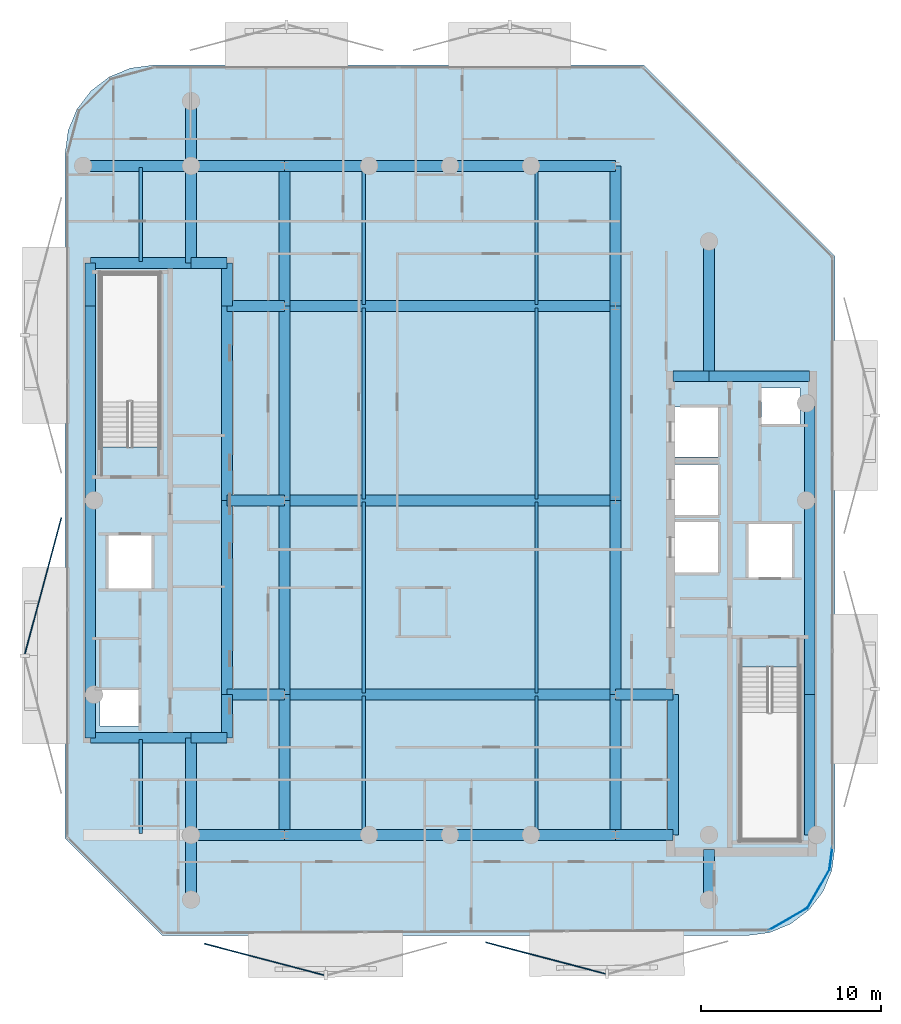
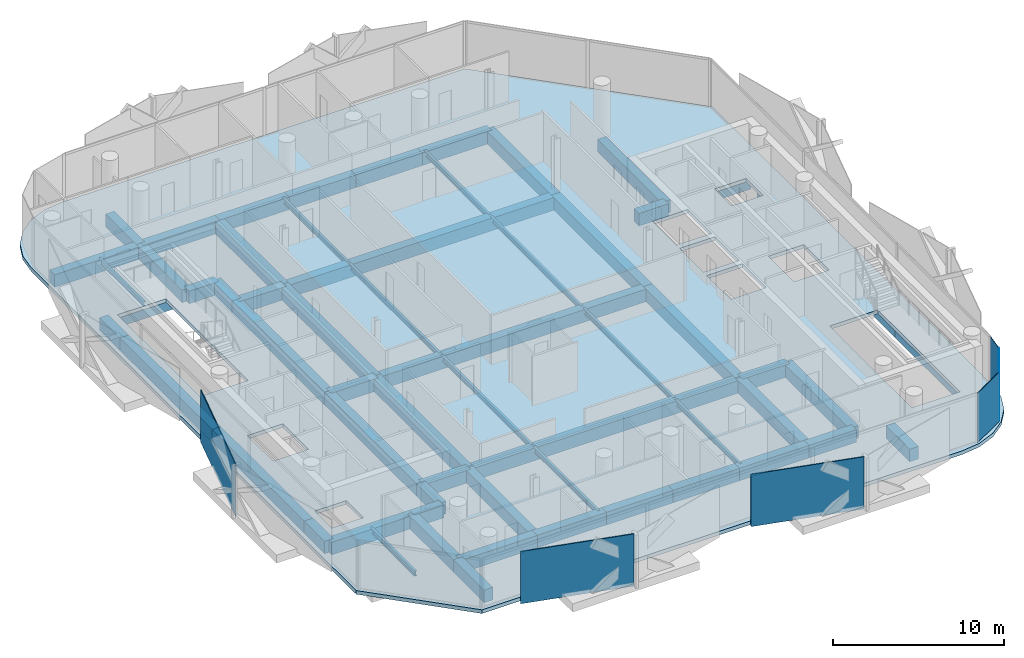
# One storey, part 3 of 16: 61 beams, 6 plates, 1 slab.
"""IFC4 building model written with IfcOpenShell, lengths in metres."""

from ifc_helpers import new_model, si_unit, direction, frame, origin, origin_2d, place, context, subcontext, project, spatial, polyline, rectangle, i_section, outline, extrude, material, layer, layer_set, material_profile, profile_set, type_object, element, save


model = new_model("IFC4")

# Units and contexts
model_context = context("Model", 3, precision=1e-05, world=origin(), true_north=direction((0.0, 1.0)))
body_context = subcontext(model_context, "Body", "Model", "MODEL_VIEW")
ifc_project = project(units=[si_unit("LENGTHUNIT", "METRE"), si_unit("AREAUNIT", "SQUARE_METRE"), si_unit("VOLUMEUNIT", "CUBIC_METRE"), si_unit("PLANEANGLEUNIT", "RADIAN"), si_unit("MASSUNIT", "GRAM", prefix="KILO")], contexts=[model_context])

# Site, building, storey
site_placement = place(None, origin())
site = spatial("IfcSite", under=ifc_project, at=site_placement, CompositionType="ELEMENT")
building_placement = place(site_placement, origin())
building = spatial("IfcBuilding", under=site, at=building_placement, Name="Khairoan Windgate Tower", CompositionType="ELEMENT")
storey_placement = place(building_placement, frame((0.0, 0.0, 281.39990234375)))
storey = spatial("IfcBuildingStorey", under=building, at=storey_placement, Name="L67", CompositionType="ELEMENT", Elevation=281.39990234375)

# Beams
ifc_material_1 = material(Name="Concrete C50/60", Category="concrete")
ifc_material_profile_1 = material_profile(ifc_material_1, rectangle(XDim=0.60009765625, YDim=0.89990234375, at=origin_2d()))
ifc_profile_set_1 = profile_set([ifc_material_profile_1], Name="Concrete C50/60")
beam_type_1 = type_object("IfcBeamType", Name="Beam B-RC1 RC600x900", PredefinedType="BEAM", material=ifc_profile_set_1)
beam_1_placement = place(storey_placement, frame((-14.39990234375, -18.60009765625, -0.7099609375), z_axis=(1.0, 0.0, 0.0), x_axis=(0.0, 1.0, 0.0)))
element("IfcBeam", 1, at=beam_1_placement, inside=storey, type_object=beam_type_1, Name="L67 E-W Primary Girder 02", PredefinedType="BEAM", context=body_context, shape_type="SweptSolid", body=[
    extrude(rectangle(XDim=0.60009765625, YDim=0.89990234375, at=origin_2d()), origin(), (0.0, 0.0, 1.0), 5.199951171875),
])
beam_2_placement = place(storey_placement, frame((-9.199951171875, -18.60009765625, -0.7099609375), z_axis=(1.0, 0.0, 0.0), x_axis=(0.0, 1.0, 0.0)))
element("IfcBeam", 2, at=beam_2_placement, inside=storey, type_object=beam_type_1, Name="L67 E-W Primary Girder 03", PredefinedType="BEAM", context=body_context, shape_type="SweptSolid", body=[
    extrude(rectangle(XDim=0.60009765625, YDim=0.89990234375, at=origin_2d()), origin(), (0.0, 0.0, 1.0), 4.699951171875),
])
for number, where, z_axis, x_axis, name in (
    (3, (-4.5, -18.60009765625, -0.7099609375), (1.0, 0.0, 0.0), (0.0, 1.0, 0.0), "L67 E-W Primary Girder 04"),
    (4, (0.0, -18.60009765625, -0.7099609375), (1.0, 0.0, 0.0), (0.0, 1.0, 0.0), "L67 E-W Primary Girder 05"),
):
    element("IfcBeam", number, at=place(storey_placement, frame(where, z_axis=z_axis, x_axis=x_axis)), inside=storey, type_object=beam_type_1, Name=name, PredefinedType="BEAM", context=body_context, shape_type="SweptSolid", body=[
        extrude(rectangle(XDim=0.60009765625, YDim=0.89990234375, at=origin_2d()), origin(), (0.0, 0.0, 1.0), 4.5),
    ])
beam_3_placement = place(storey_placement, frame((4.5, -18.60009765625, -0.7099609375), z_axis=(1.0, 0.0, 0.0), x_axis=(0.0, 1.0, 0.0)))
element("IfcBeam", 5, at=beam_3_placement, inside=storey, type_object=beam_type_1, Name="L67 E-W Primary Girder 06", PredefinedType="BEAM", context=body_context, shape_type="SweptSolid", body=[
    extrude(rectangle(XDim=0.60009765625, YDim=0.89990234375, at=origin_2d()), origin(), (0.0, 0.0, 1.0), 4.699951171875),
])
beam_4_placement = place(storey_placement, frame((9.199951171875, -18.60009765625, -0.7099609375), z_axis=(1.0, 0.0, 0.0), x_axis=(0.0, 1.0, 0.0)))
element("IfcBeam", 6, at=beam_4_placement, inside=storey, type_object=beam_type_1, Name="L67 E-W Primary Girder 07", PredefinedType="BEAM", context=body_context, shape_type="SweptSolid", body=[
    extrude(rectangle(XDim=0.60009765625, YDim=0.89990234375, at=origin_2d()), origin(), (0.0, 0.0, 1.0), 3.199951171875),
])
beam_5_placement = place(storey_placement, frame((-20.0, -13.199951171875, -0.7099609375), z_axis=(1.0, 0.0, 0.0), x_axis=(0.0, 1.0, 0.0)))
element("IfcBeam", 7, at=beam_5_placement, inside=storey, type_object=beam_type_1, Name="L67 E-W Primary Girder 08", PredefinedType="BEAM", context=body_context, shape_type="SweptSolid", body=[
    extrude(rectangle(XDim=0.60009765625, YDim=0.89990234375, at=origin_2d()), origin(), (0.0, 0.0, 1.0), 5.60009765625),
])
beam_6_placement = place(storey_placement, frame((-14.39990234375, -13.199951171875, -0.7099609375), z_axis=(1.0, 0.0, 0.0), x_axis=(0.0, 1.0, 0.0)))
element("IfcBeam", 8, at=beam_6_placement, inside=storey, type_object=beam_type_1, Name="L67 E-W Primary Girder 09", PredefinedType="BEAM", context=body_context, shape_type="SweptSolid", body=[
    extrude(rectangle(XDim=0.60009765625, YDim=0.89990234375, at=origin_2d()), origin(), (0.0, 0.0, 1.0), 2.0),
])
beam_7_placement = place(storey_placement, frame((-12.39990234375, -10.800048828125, -0.7099609375), z_axis=(1.0, 0.0, 0.0), x_axis=(0.0, 1.0, 0.0)))
element("IfcBeam", 9, at=beam_7_placement, inside=storey, type_object=beam_type_1, Name="L67 E-W Primary Girder 10", PredefinedType="BEAM", context=body_context, shape_type="SweptSolid", body=[
    extrude(rectangle(XDim=0.60009765625, YDim=0.89990234375, at=origin_2d()), origin(), (0.0, 0.0, 1.0), 3.199951171875),
])
beam_8_placement = place(storey_placement, frame((-9.199951171875, -10.800048828125, -0.7099609375), z_axis=(1.0, 0.0, 0.0), x_axis=(0.0, 1.0, 0.0)))
element("IfcBeam", 10, at=beam_8_placement, inside=storey, type_object=beam_type_1, Name="L67 E-W Primary Girder 11", PredefinedType="BEAM", context=body_context, shape_type="SweptSolid", body=[
    extrude(rectangle(XDim=0.60009765625, YDim=0.89990234375, at=origin_2d()), origin(), (0.0, 0.0, 1.0), 18.39990234375),
])
for number, where, z_axis, x_axis, name in (
    (11, (9.199951171875, -10.800048828125, -0.7099609375), (1.0, 0.0, 0.0), (0.0, 1.0, 0.0), "L67 E-W Primary Girder 12"),
    (12, (-12.39990234375, 0.0, -0.7099609375), (1.0, 0.0, 0.0), (0.0, 1.0, 0.0), "L67 E-W Primary Girder 13"),
):
    element("IfcBeam", number, at=place(storey_placement, frame(where, z_axis=z_axis, x_axis=x_axis)), inside=storey, type_object=beam_type_1, Name=name, PredefinedType="BEAM", context=body_context, shape_type="SweptSolid", body=[
        extrude(rectangle(XDim=0.60009765625, YDim=0.89990234375, at=origin_2d()), origin(), (0.0, 0.0, 1.0), 3.199951171875),
    ])
beam_9_placement = place(storey_placement, frame((-9.199951171875, 0.0, -0.7099609375), z_axis=(1.0, 0.0, 0.0), x_axis=(0.0, 1.0, 0.0)))
element("IfcBeam", 13, at=beam_9_placement, inside=storey, type_object=beam_type_1, Name="L67 E-W Primary Girder 14", PredefinedType="BEAM", context=body_context, shape_type="SweptSolid", body=[
    extrude(rectangle(XDim=0.60009765625, YDim=0.89990234375, at=origin_2d()), origin(), (0.0, 0.0, 1.0), 18.39990234375),
])
beam_10_placement = place(storey_placement, frame((12.39990234375, 6.89990234375, -0.7099609375), z_axis=(1.0, 0.0, 0.0), x_axis=(0.0, 1.0, 0.0)))
element("IfcBeam", 14, at=beam_10_placement, inside=storey, type_object=beam_type_1, Name="L67 E-W Primary Girder 15", PredefinedType="BEAM", context=body_context, shape_type="SweptSolid", body=[
    extrude(rectangle(XDim=0.60009765625, YDim=0.89990234375, at=origin_2d()), origin(), (0.0, 0.0, 1.0), 2.0),
])
beam_11_placement = place(storey_placement, frame((14.39990234375, 6.89990234375, -0.7099609375), z_axis=(1.0, 0.0, 0.0), x_axis=(0.0, 1.0, 0.0)))
element("IfcBeam", 15, at=beam_11_placement, inside=storey, type_object=beam_type_1, Name="L67 E-W Primary Girder 16", PredefinedType="BEAM", context=body_context, shape_type="SweptSolid", body=[
    extrude(rectangle(XDim=0.60009765625, YDim=0.89990234375, at=origin_2d()), origin(), (0.0, 0.0, 1.0), 5.60009765625),
])
beam_12_placement = place(storey_placement, frame((-12.39990234375, 10.800048828125, -0.7099609375), z_axis=(1.0, 0.0, 0.0), x_axis=(0.0, 1.0, 0.0)))
element("IfcBeam", 16, at=beam_12_placement, inside=storey, type_object=beam_type_1, Name="L67 E-W Primary Girder 17", PredefinedType="BEAM", context=body_context, shape_type="SweptSolid", body=[
    extrude(rectangle(XDim=0.60009765625, YDim=0.89990234375, at=origin_2d()), origin(), (0.0, 0.0, 1.0), 3.199951171875),
])
beam_13_placement = place(storey_placement, frame((-9.199951171875, 10.800048828125, -0.7099609375), z_axis=(1.0, 0.0, 0.0), x_axis=(0.0, 1.0, 0.0)))
element("IfcBeam", 17, at=beam_13_placement, inside=storey, type_object=beam_type_1, Name="L67 E-W Primary Girder 18", PredefinedType="BEAM", context=body_context, shape_type="SweptSolid", body=[
    extrude(rectangle(XDim=0.60009765625, YDim=0.89990234375, at=origin_2d()), origin(), (0.0, 0.0, 1.0), 18.39990234375),
])
beam_14_placement = place(storey_placement, frame((-20.0, 13.199951171875, -0.7099609375), z_axis=(1.0, 0.0, 0.0), x_axis=(0.0, 1.0, 0.0)))
element("IfcBeam", 18, at=beam_14_placement, inside=storey, type_object=beam_type_1, Name="L67 E-W Primary Girder 19", PredefinedType="BEAM", context=body_context, shape_type="SweptSolid", body=[
    extrude(rectangle(XDim=0.60009765625, YDim=0.89990234375, at=origin_2d()), origin(), (0.0, 0.0, 1.0), 5.60009765625),
])
beam_15_placement = place(storey_placement, frame((-14.39990234375, 13.199951171875, -0.7099609375), z_axis=(1.0, 0.0, 0.0), x_axis=(0.0, 1.0, 0.0)))
element("IfcBeam", 19, at=beam_15_placement, inside=storey, type_object=beam_type_1, Name="L67 E-W Primary Girder 20", PredefinedType="BEAM", context=body_context, shape_type="SweptSolid", body=[
    extrude(rectangle(XDim=0.60009765625, YDim=0.89990234375, at=origin_2d()), origin(), (0.0, 0.0, 1.0), 2.0),
])
beam_16_placement = place(storey_placement, frame((-20.39990234375, 18.60009765625, -0.7099609375), z_axis=(1.0, 0.0, 0.0), x_axis=(0.0, 1.0, 0.0)))
element("IfcBeam", 20, at=beam_16_placement, inside=storey, type_object=beam_type_1, Name="L67 E-W Primary Girder 21", PredefinedType="BEAM", context=body_context, shape_type="SweptSolid", body=[
    extrude(rectangle(XDim=0.60009765625, YDim=0.89990234375, at=origin_2d()), origin(), (0.0, 0.0, 1.0), 6.0),
])
beam_17_placement = place(storey_placement, frame((-14.39990234375, 18.60009765625, -0.7099609375), z_axis=(1.0, 0.0, 0.0), x_axis=(0.0, 1.0, 0.0)))
element("IfcBeam", 21, at=beam_17_placement, inside=storey, type_object=beam_type_1, Name="L67 E-W Primary Girder 22", PredefinedType="BEAM", context=body_context, shape_type="SweptSolid", body=[
    extrude(rectangle(XDim=0.60009765625, YDim=0.89990234375, at=origin_2d()), origin(), (0.0, 0.0, 1.0), 5.199951171875),
])
beam_18_placement = place(storey_placement, frame((-9.199951171875, 18.60009765625, -0.7099609375), z_axis=(1.0, 0.0, 0.0), x_axis=(0.0, 1.0, 0.0)))
element("IfcBeam", 22, at=beam_18_placement, inside=storey, type_object=beam_type_1, Name="L67 E-W Primary Girder 23", PredefinedType="BEAM", context=body_context, shape_type="SweptSolid", body=[
    extrude(rectangle(XDim=0.60009765625, YDim=0.89990234375, at=origin_2d()), origin(), (0.0, 0.0, 1.0), 4.699951171875),
])
for number, where, z_axis, x_axis, name in (
    (23, (-4.5, 18.60009765625, -0.7099609375), (1.0, 0.0, 0.0), (0.0, 1.0, 0.0), "L67 E-W Primary Girder 24"),
    (24, (0.0, 18.60009765625, -0.7099609375), (1.0, 0.0, 0.0), (0.0, 1.0, 0.0), "L67 E-W Primary Girder 25"),
):
    element("IfcBeam", number, at=place(storey_placement, frame(where, z_axis=z_axis, x_axis=x_axis)), inside=storey, type_object=beam_type_1, Name=name, PredefinedType="BEAM", context=body_context, shape_type="SweptSolid", body=[
        extrude(rectangle(XDim=0.60009765625, YDim=0.89990234375, at=origin_2d()), origin(), (0.0, 0.0, 1.0), 4.5),
    ])
beam_19_placement = place(storey_placement, frame((4.5, 18.60009765625, -0.7099609375), z_axis=(1.0, 0.0, 0.0), x_axis=(0.0, 1.0, 0.0)))
element("IfcBeam", 25, at=beam_19_placement, inside=storey, type_object=beam_type_1, Name="L67 E-W Primary Girder 26", PredefinedType="BEAM", context=body_context, shape_type="SweptSolid", body=[
    extrude(rectangle(XDim=0.60009765625, YDim=0.89990234375, at=origin_2d()), origin(), (0.0, 0.0, 1.0), 4.699951171875),
])
beam_20_placement = place(storey_placement, frame((-20.0, -13.199951171875, -0.7099609375), z_axis=(0.0, 1.0, 0.0), x_axis=(-1.0, 0.0, 0.0)))
element("IfcBeam", 26, at=beam_20_placement, inside=storey, type_object=beam_type_1, Name="L67 N-S Primary Beam 27", PredefinedType="BEAM", context=body_context, shape_type="SweptSolid", body=[
    extrude(rectangle(XDim=0.60009765625, YDim=0.89990234375, at=origin_2d()), origin(), (0.0, 0.0, 1.0), 2.39990234375),
])
for number, where, z_axis, x_axis, name in (
    (27, (-20.0, -10.800048828125, -0.7099609375), (0.0, 1.0, 0.0), (-1.0, 0.0, 0.0), "L67 N-S Primary Beam 28"),
    (28, (-20.0, 0.0, -0.7099609375), (0.0, 1.0, 0.0), (-1.0, 0.0, 0.0), "L67 N-S Primary Beam 29"),
):
    element("IfcBeam", number, at=place(storey_placement, frame(where, z_axis=z_axis, x_axis=x_axis)), inside=storey, type_object=beam_type_1, Name=name, PredefinedType="BEAM", context=body_context, shape_type="SweptSolid", body=[
        extrude(rectangle(XDim=0.60009765625, YDim=0.89990234375, at=origin_2d()), origin(), (0.0, 0.0, 1.0), 10.800048828125),
    ])
beam_21_placement = place(storey_placement, frame((-20.0, 10.800048828125, -0.7099609375), z_axis=(0.0, 1.0, 0.0), x_axis=(-1.0, 0.0, 0.0)))
element("IfcBeam", 29, at=beam_21_placement, inside=storey, type_object=beam_type_1, Name="L67 N-S Primary Beam 30", PredefinedType="BEAM", context=body_context, shape_type="SweptSolid", body=[
    extrude(rectangle(XDim=0.60009765625, YDim=0.89990234375, at=origin_2d()), origin(), (0.0, 0.0, 1.0), 2.39990234375),
])
beam_22_placement = place(storey_placement, frame((-14.39990234375, -22.199951171875, -0.7099609375), z_axis=(0.0, 1.0, 0.0), x_axis=(-1.0, 0.0, 0.0)))
element("IfcBeam", 30, at=beam_22_placement, inside=storey, type_object=beam_type_1, Name="L67 N-S Primary Beam 31", PredefinedType="BEAM", context=body_context, shape_type="SweptSolid", body=[
    extrude(rectangle(XDim=0.60009765625, YDim=0.89990234375, at=origin_2d()), origin(), (0.0, 0.0, 1.0), 3.599853515625),
])
for number, where, z_axis, x_axis, name in (
    (31, (-14.39990234375, -18.60009765625, -0.7099609375), (0.0, 1.0, 0.0), (-1.0, 0.0, 0.0), "L67 N-S Primary Beam 32"),
    (32, (-14.39990234375, 13.199951171875, -0.7099609375), (0.0, 1.0, 0.0), (-1.0, 0.0, 0.0), "L67 N-S Primary Beam 33"),
):
    element("IfcBeam", number, at=place(storey_placement, frame(where, z_axis=z_axis, x_axis=x_axis)), inside=storey, type_object=beam_type_1, Name=name, PredefinedType="BEAM", context=body_context, shape_type="SweptSolid", body=[
        extrude(rectangle(XDim=0.60009765625, YDim=0.89990234375, at=origin_2d()), origin(), (0.0, 0.0, 1.0), 5.400146484375),
    ])
beam_23_placement = place(storey_placement, frame((-14.39990234375, 18.60009765625, -0.7099609375), z_axis=(0.0, 1.0, 0.0), x_axis=(-1.0, 0.0, 0.0)))
element("IfcBeam", 33, at=beam_23_placement, inside=storey, type_object=beam_type_1, Name="L67 N-S Primary Beam 34", PredefinedType="BEAM", context=body_context, shape_type="SweptSolid", body=[
    extrude(rectangle(XDim=0.60009765625, YDim=0.89990234375, at=origin_2d()), origin(), (0.0, 0.0, 1.0), 3.599853515625),
])
beam_24_placement = place(storey_placement, frame((-12.39990234375, -13.199951171875, -0.7099609375), z_axis=(0.0, 1.0, 0.0), x_axis=(-1.0, 0.0, 0.0)))
element("IfcBeam", 34, at=beam_24_placement, inside=storey, type_object=beam_type_1, Name="L67 N-S Primary Beam 35", PredefinedType="BEAM", context=body_context, shape_type="SweptSolid", body=[
    extrude(rectangle(XDim=0.60009765625, YDim=0.89990234375, at=origin_2d()), origin(), (0.0, 0.0, 1.0), 2.39990234375),
])
for number, where, z_axis, x_axis, name in (
    (35, (-12.39990234375, -10.800048828125, -0.7099609375), (0.0, 1.0, 0.0), (-1.0, 0.0, 0.0), "L67 N-S Primary Beam 36"),
    (36, (-12.39990234375, 0.0, -0.7099609375), (0.0, 1.0, 0.0), (-1.0, 0.0, 0.0), "L67 N-S Primary Beam 37"),
):
    element("IfcBeam", number, at=place(storey_placement, frame(where, z_axis=z_axis, x_axis=x_axis)), inside=storey, type_object=beam_type_1, Name=name, PredefinedType="BEAM", context=body_context, shape_type="SweptSolid", body=[
        extrude(rectangle(XDim=0.60009765625, YDim=0.89990234375, at=origin_2d()), origin(), (0.0, 0.0, 1.0), 10.800048828125),
    ])
beam_25_placement = place(storey_placement, frame((-12.39990234375, 10.800048828125, -0.7099609375), z_axis=(0.0, 1.0, 0.0), x_axis=(-1.0, 0.0, 0.0)))
element("IfcBeam", 37, at=beam_25_placement, inside=storey, type_object=beam_type_1, Name="L67 N-S Primary Beam 38", PredefinedType="BEAM", context=body_context, shape_type="SweptSolid", body=[
    extrude(rectangle(XDim=0.60009765625, YDim=0.89990234375, at=origin_2d()), origin(), (0.0, 0.0, 1.0), 2.39990234375),
])
beam_26_placement = place(storey_placement, frame((-9.199951171875, -18.60009765625, -0.7099609375), z_axis=(0.0, 1.0, 0.0), x_axis=(-1.0, 0.0, 0.0)))
element("IfcBeam", 38, at=beam_26_placement, inside=storey, type_object=beam_type_1, Name="L67 N-S Primary Beam 39", PredefinedType="BEAM", context=body_context, shape_type="SweptSolid", body=[
    extrude(rectangle(XDim=0.60009765625, YDim=0.89990234375, at=origin_2d()), origin(), (0.0, 0.0, 1.0), 7.800048828125),
])
for number, where, z_axis, x_axis, name in (
    (39, (-9.199951171875, -10.800048828125, -0.7099609375), (0.0, 1.0, 0.0), (-1.0, 0.0, 0.0), "L67 N-S Primary Beam 40"),
    (40, (-9.199951171875, 0.0, -0.7099609375), (0.0, 1.0, 0.0), (-1.0, 0.0, 0.0), "L67 N-S Primary Beam 41"),
):
    element("IfcBeam", number, at=place(storey_placement, frame(where, z_axis=z_axis, x_axis=x_axis)), inside=storey, type_object=beam_type_1, Name=name, PredefinedType="BEAM", context=body_context, shape_type="SweptSolid", body=[
        extrude(rectangle(XDim=0.60009765625, YDim=0.89990234375, at=origin_2d()), origin(), (0.0, 0.0, 1.0), 10.800048828125),
    ])
for number, where, z_axis, x_axis, name in (
    (41, (-9.199951171875, 10.800048828125, -0.7099609375), (0.0, 1.0, 0.0), (-1.0, 0.0, 0.0), "L67 N-S Primary Beam 42"),
    (42, (9.199951171875, -18.60009765625, -0.7099609375), (0.0, 1.0, 0.0), (-1.0, 0.0, 0.0), "L67 N-S Primary Beam 43"),
):
    element("IfcBeam", number, at=place(storey_placement, frame(where, z_axis=z_axis, x_axis=x_axis)), inside=storey, type_object=beam_type_1, Name=name, PredefinedType="BEAM", context=body_context, shape_type="SweptSolid", body=[
        extrude(rectangle(XDim=0.60009765625, YDim=0.89990234375, at=origin_2d()), origin(), (0.0, 0.0, 1.0), 7.800048828125),
    ])
for number, where, z_axis, x_axis, name in (
    (43, (9.199951171875, -10.800048828125, -0.7099609375), (0.0, 1.0, 0.0), (-1.0, 0.0, 0.0), "L67 N-S Primary Beam 44"),
    (44, (9.199951171875, 0.0, -0.7099609375), (0.0, 1.0, 0.0), (-1.0, 0.0, 0.0), "L67 N-S Primary Beam 45"),
):
    element("IfcBeam", number, at=place(storey_placement, frame(where, z_axis=z_axis, x_axis=x_axis)), inside=storey, type_object=beam_type_1, Name=name, PredefinedType="BEAM", context=body_context, shape_type="SweptSolid", body=[
        extrude(rectangle(XDim=0.60009765625, YDim=0.89990234375, at=origin_2d()), origin(), (0.0, 0.0, 1.0), 10.800048828125),
    ])
for number, where, z_axis, x_axis, name in (
    (45, (9.199951171875, 10.800048828125, -0.7099609375), (0.0, 1.0, 0.0), (-1.0, 0.0, 0.0), "L67 N-S Primary Beam 46"),
    (46, (12.39990234375, -18.60009765625, -0.7099609375), (0.0, 1.0, 0.0), (-1.0, 0.0, 0.0), "L67 N-S Primary Beam 47"),
):
    element("IfcBeam", number, at=place(storey_placement, frame(where, z_axis=z_axis, x_axis=x_axis)), inside=storey, type_object=beam_type_1, Name=name, PredefinedType="BEAM", context=body_context, shape_type="SweptSolid", body=[
        extrude(rectangle(XDim=0.60009765625, YDim=0.89990234375, at=origin_2d()), origin(), (0.0, 0.0, 1.0), 7.800048828125),
    ])
beam_27_placement = place(storey_placement, frame((14.39990234375, -22.199951171875, -0.7099609375), z_axis=(0.0, 1.0, 0.0), x_axis=(-1.0, 0.0, 0.0)))
element("IfcBeam", 47, at=beam_27_placement, inside=storey, type_object=beam_type_1, Name="L67 N-S Primary Beam 48", PredefinedType="BEAM", context=body_context, shape_type="SweptSolid", body=[
    extrude(rectangle(XDim=0.60009765625, YDim=0.89990234375, at=origin_2d()), origin(), (0.0, 0.0, 1.0), 2.800048828125),
])
beam_28_placement = place(storey_placement, frame((14.39990234375, 6.89990234375, -0.7099609375), z_axis=(0.0, 1.0, 0.0), x_axis=(-1.0, 0.0, 0.0)))
element("IfcBeam", 48, at=beam_28_placement, inside=storey, type_object=beam_type_1, Name="L67 N-S Primary Beam 49", PredefinedType="BEAM", context=body_context, shape_type="SweptSolid", body=[
    extrude(rectangle(XDim=0.60009765625, YDim=0.89990234375, at=origin_2d()), origin(), (0.0, 0.0, 1.0), 7.5),
])
beam_29_placement = place(storey_placement, frame((20.0, -18.60009765625, -0.7099609375), z_axis=(0.0, 1.0, 0.0), x_axis=(-1.0, 0.0, 0.0)))
element("IfcBeam", 49, at=beam_29_placement, inside=storey, type_object=beam_type_1, Name="L67 N-S Primary Beam 50", PredefinedType="BEAM", context=body_context, shape_type="SweptSolid", body=[
    extrude(rectangle(XDim=0.60009765625, YDim=0.89990234375, at=origin_2d()), origin(), (0.0, 0.0, 1.0), 7.800048828125),
])
beam_30_placement = place(storey_placement, frame((20.0, -10.800048828125, -0.7099609375), z_axis=(0.0, 1.0, 0.0), x_axis=(-1.0, 0.0, 0.0)))
element("IfcBeam", 50, at=beam_30_placement, inside=storey, type_object=beam_type_1, Name="L67 N-S Primary Beam 51", PredefinedType="BEAM", context=body_context, shape_type="SweptSolid", body=[
    extrude(rectangle(XDim=0.60009765625, YDim=0.89990234375, at=origin_2d()), origin(), (0.0, 0.0, 1.0), 10.800048828125),
])
beam_31_placement = place(storey_placement, frame((20.0, 0.0, -0.7099609375), z_axis=(0.0, 1.0, 0.0), x_axis=(-1.0, 0.0, 0.0)))
element("IfcBeam", 51, at=beam_31_placement, inside=storey, type_object=beam_type_1, Name="L67 N-S Primary Beam 52", PredefinedType="BEAM", context=body_context, shape_type="SweptSolid", body=[
    extrude(rectangle(XDim=0.60009765625, YDim=0.89990234375, at=origin_2d()), origin(), (0.0, 0.0, 1.0), 5.39990234375),
])
ifc_material_2 = material(Name="Steel S355", Category="steel")
ifc_material_profile_2 = material_profile(ifc_material_2, i_section(OverallWidth=0.175048828125, OverallDepth=0.35009765625, WebThickness=0.007080078125, FlangeThickness=0.010986328125, FilletRadius=0.013916015625, at=origin_2d()))
ifc_profile_set_2 = profile_set([ifc_material_profile_2], Name="Steel S355")
beam_type_2 = type_object("IfcBeamType", Name="Beam J-S5 H350x175x7x11", PredefinedType="JOIST", material=ifc_profile_set_2)
for number, where, z_axis, x_axis, name in (
    (52, (-17.199951171875, -18.510009765625, -0.434814453125), (0.0, 1.0, 0.0), (-1.0, 0.0, 0.0), "L67 Secondary Floor Joist 01"),
    (53, (-17.199951171875, 13.2900390625, -0.434814453125), (0.0, 1.0, 0.0), (-1.0, 0.0, 0.0), "L67 Secondary Floor Joist 02"),
):
    element("IfcBeam", number, at=place(storey_placement, frame(where, z_axis=z_axis, x_axis=x_axis)), inside=storey, type_object=beam_type_2, Name=name, PredefinedType="JOIST", context=body_context, shape_type="SweptSolid", body=[
        extrude(i_section(OverallWidth=0.175048828125, OverallDepth=0.35009765625, WebThickness=0.007080078125, FlangeThickness=0.010986328125, FilletRadius=0.013916015625, at=origin_2d()), origin(), (0.0, 0.0, 1.0), 5.219970703125),
    ])
beam_32_placement = place(storey_placement, frame((-4.800048828125, -18.510009765625, -0.434814453125), z_axis=(0.0, 1.0, 0.0), x_axis=(-1.0, 0.0, 0.0)))
element("IfcBeam", 54, at=beam_32_placement, inside=storey, type_object=beam_type_2, Name="L67 Secondary Floor Joist 03", PredefinedType="JOIST", context=body_context, shape_type="SweptSolid", body=[
    extrude(i_section(OverallWidth=0.175048828125, OverallDepth=0.35009765625, WebThickness=0.007080078125, FlangeThickness=0.010986328125, FilletRadius=0.013916015625, at=origin_2d()), origin(), (0.0, 0.0, 1.0), 7.6201171875),
])
for number, where, z_axis, x_axis, name in (
    (55, (-4.800048828125, -10.7099609375, -0.434814453125), (0.0, 1.0, 0.0), (-1.0, 0.0, 0.0), "L67 Secondary Floor Joist 04"),
    (56, (-4.800048828125, 0.090087890625, -0.434814453125), (0.0, 1.0, 0.0), (-1.0, 0.0, 0.0), "L67 Secondary Floor Joist 05"),
):
    element("IfcBeam", number, at=place(storey_placement, frame(where, z_axis=z_axis, x_axis=x_axis)), inside=storey, type_object=beam_type_2, Name=name, PredefinedType="JOIST", context=body_context, shape_type="SweptSolid", body=[
        extrude(i_section(OverallWidth=0.175048828125, OverallDepth=0.35009765625, WebThickness=0.007080078125, FlangeThickness=0.010986328125, FilletRadius=0.013916015625, at=origin_2d()), origin(), (0.0, 0.0, 1.0), 10.619873046875),
    ])
for number, where, z_axis, x_axis, name in (
    (57, (-4.800048828125, 10.889892578125, -0.434814453125), (0.0, 1.0, 0.0), (-1.0, 0.0, 0.0), "L67 Secondary Floor Joist 06"),
    (58, (4.800048828125, -18.510009765625, -0.434814453125), (0.0, 1.0, 0.0), (-1.0, 0.0, 0.0), "L67 Secondary Floor Joist 07"),
):
    element("IfcBeam", number, at=place(storey_placement, frame(where, z_axis=z_axis, x_axis=x_axis)), inside=storey, type_object=beam_type_2, Name=name, PredefinedType="JOIST", context=body_context, shape_type="SweptSolid", body=[
        extrude(i_section(OverallWidth=0.175048828125, OverallDepth=0.35009765625, WebThickness=0.007080078125, FlangeThickness=0.010986328125, FilletRadius=0.013916015625, at=origin_2d()), origin(), (0.0, 0.0, 1.0), 7.6201171875),
    ])
for number, where, z_axis, x_axis, name in (
    (59, (4.800048828125, -10.7099609375, -0.434814453125), (0.0, 1.0, 0.0), (-1.0, 0.0, 0.0), "L67 Secondary Floor Joist 08"),
    (60, (4.800048828125, 0.090087890625, -0.434814453125), (0.0, 1.0, 0.0), (-1.0, 0.0, 0.0), "L67 Secondary Floor Joist 09"),
):
    element("IfcBeam", number, at=place(storey_placement, frame(where, z_axis=z_axis, x_axis=x_axis)), inside=storey, type_object=beam_type_2, Name=name, PredefinedType="JOIST", context=body_context, shape_type="SweptSolid", body=[
        extrude(i_section(OverallWidth=0.175048828125, OverallDepth=0.35009765625, WebThickness=0.007080078125, FlangeThickness=0.010986328125, FilletRadius=0.013916015625, at=origin_2d()), origin(), (0.0, 0.0, 1.0), 10.619873046875),
    ])
beam_33_placement = place(storey_placement, frame((4.800048828125, 10.889892578125, -0.434814453125), z_axis=(0.0, 1.0, 0.0), x_axis=(-1.0, 0.0, 0.0)))
element("IfcBeam", 61, at=beam_33_placement, inside=storey, type_object=beam_type_2, Name="L67 Secondary Floor Joist 10", PredefinedType="JOIST", context=body_context, shape_type="SweptSolid", body=[
    extrude(i_section(OverallWidth=0.175048828125, OverallDepth=0.35009765625, WebThickness=0.007080078125, FlangeThickness=0.010986328125, FilletRadius=0.013916015625, at=origin_2d()), origin(), (0.0, 0.0, 1.0), 7.6201171875),
])

# Plates
ifc_material_3 = material(Name="Low-E Solar Control Laminated Glass", Category="glass")
ifc_layer_1 = layer(ifc_material_3, 0.030029296875, Name="Low-E Solar Control Laminated Glass")
ifc_layer_set_1 = layer_set([ifc_layer_1], Name="Low-E Solar Control Laminated Glass")
plate_type_1 = type_object("IfcPlateType", Name="Aerodynamic Wind-Corner Curved Glazing Plate", PredefinedType="USERDEFINED", material=ifc_layer_set_1)
plate_1_placement = place(storey_placement, frame((21.17822265625, -19.911376953125, 0.0), z_axis=(0.0, 0.0, 1.0), x_axis=(-0.13052619222, -0.991444861374, 0.0)))
element("IfcPlate", 62, at=plate_1_placement, inside=storey, type_object=plate_type_1, Name="L67 Aerodynamic Wind-Corner Curved Glazing Panel 10", ObjectType="GLAZING PANEL", PredefinedType="USERDEFINED", context=body_context, shape_type="SweptSolid", body=[
    extrude(rectangle(XDim=1.29150390625, YDim=0.035888671875, at=origin_2d()), origin(), (0.0, 0.0, 1.0), 3.5400390625),
])
for number, where, z_axis, x_axis, name in (
    (63, (20.480712890625, -21.598388671875, 0.0), (0.0, 0.0, 1.0), (-0.5, -0.866025403784, 0.0), "L67 Aerodynamic Wind-Corner Curved Glazing Panel 11"),
    (64, (18.79833984375, -23.28076171875, 0.0), (0.0, 0.0, 1.0), (-0.866025403784, -0.5, 0.0), "L67 Aerodynamic Wind-Corner Curved Glazing Panel 12"),
):
    element("IfcPlate", number, at=place(storey_placement, frame(where, z_axis=z_axis, x_axis=x_axis)), inside=storey, type_object=plate_type_1, Name=name, ObjectType="GLAZING PANEL", PredefinedType="USERDEFINED", context=body_context, shape_type="SweptSolid", body=[
        extrude(rectangle(XDim=2.50341796875, YDim=0.035888671875, at=origin_2d()), origin(), (0.0, 0.0, 1.0), 3.5400390625),
    ])
ifc_material_4 = material(Name="Anodised Bronze Aluminium 6063-T6", Category="aluminium")
ifc_layer_2 = layer(ifc_material_4, 0.054931640625, Name="Anodised Bronze Aluminium 6063-T6")
ifc_layer_set_2 = layer_set([ifc_layer_2], Name="Anodised Bronze Aluminium 6063-T6")
plate_type_2 = type_object("IfcPlateType", Name="Perforated Bronze Solar Screen Upper Panel BSP-2", PredefinedType="USERDEFINED", material=ifc_layer_set_2)
for number, where, z_axis, x_axis, name in (
    (65, (5.307861328125, -25.446533203125, -0.10009765625), (0.0, 0.0, 1.0), (-0.967179115616, 0.254095569259, 0.0), "L67 Perforated Bronze Solar Screen Panel 462R"),
    (66, (-10.3291015625, -25.5224609375, -0.10009765625), (0.0, 0.0, 1.0), (-0.967179115616, 0.254095569259, 0.0), "L67 Perforated Bronze Solar Screen Panel 463R"),
):
    element("IfcPlate", number, at=place(storey_placement, frame(where, z_axis=z_axis, x_axis=x_axis)), inside=storey, type_object=plate_type_2, Name=name, ObjectType="SCREEN", PredefinedType="USERDEFINED", context=body_context, shape_type="SweptSolid", body=[
        extrude(rectangle(XDim=6.8798828125, YDim=0.054931640625, at=origin_2d()), origin(), (0.0, 0.0, 1.0), 3.739990234375),
    ])
plate_2_placement = place(storey_placement, frame((-22.62548828125, -4.7578125, -0.10009765625), z_axis=(0.0, 0.0, 1.0), x_axis=(0.258819045103, 0.965925826289, 0.0)))
element("IfcPlate", 67, at=plate_2_placement, inside=storey, type_object=plate_type_2, Name="L67 Perforated Bronze Solar Screen Panel 464R", ObjectType="SCREEN", PredefinedType="USERDEFINED", context=body_context, shape_type="SweptSolid", body=[
    extrude(rectangle(XDim=7.839111328125, YDim=0.054931640625, at=origin_2d()), origin(), (0.0, 0.0, 1.0), 3.739990234375),
])

# Slab
ifc_material_5 = material(Name="Concrete C40/50", Category="concrete")
ifc_layer_3 = layer(ifc_material_5, 0.260009765625, Name="Concrete C40/50")
ifc_layer_set_3 = layer_set([ifc_layer_3], Name="Concrete C40/50")
slab_type = type_object("IfcSlabType", Name="Tower Composite Floor Slab FS2 260mm", PredefinedType="FLOOR", material=ifc_layer_set_3)
slab_placement = place(storey_placement, frame((0.0, 0.0, -0.260009765625)))
element("IfcSlab", 68, at=slab_placement, inside=storey, type_object=slab_type, Name="L67 Structural Floor Slab", PredefinedType="FLOOR", context=body_context, shape_type="SweptSolid", body=[
    extrude(outline(polyline([(16.5, -24.199951171875), (17.768310546875, -24.032958984375), (18.949951171875, -23.54345703125), (19.96484375, -22.764892578125), (20.743408203125, -21.75), (21.23291015625, -20.568115234375), (21.39990234375, -19.300048828125), (21.39990234375, 13.580078125), (10.780029296875, 24.199951171875), (-16.5, 24.199951171875), (-17.768310546875, 24.032958984375), (-18.949951171875, 23.54345703125), (-19.96484375, 22.764892578125), (-20.743408203125, 21.75), (-21.23291015625, 20.568115234375), (-21.39990234375, 19.300048828125), (-21.39990234375, -18.800048828125), (-16.0, -24.199951171875), (16.5, -24.199951171875)]), holes=[polyline([(16.14990234375, -9.260009765625), (16.14990234375, -18.89990234375), (19.419921875, -18.89990234375), (19.419921875, -9.260009765625), (16.14990234375, -9.260009765625)]), polyline([(-16.14990234375, 2.9599609375), (-16.14990234375, 12.60009765625), (-19.419921875, 12.60009765625), (-19.419921875, 2.9599609375), (-16.14990234375, 2.9599609375)]), polyline([(12.5, 2.39990234375), (14.89990234375, 2.39990234375), (14.89990234375, 5.199951171875), (12.5, 5.199951171875), (12.5, 2.39990234375)]), polyline([(12.5, -0.800048828125), (14.89990234375, -0.800048828125), (14.89990234375, 2.0), (12.5, 2.0), (12.5, -0.800048828125)]), polyline([(12.5, -4.0), (14.89990234375, -4.0), (14.89990234375, -1.199951171875), (12.5, -1.199951171875), (12.5, -4.0)]), polyline([(16.60009765625, -4.300048828125), (19.0, -4.300048828125), (19.0, -1.300048828125), (16.60009765625, -1.300048828125), (16.60009765625, -4.300048828125)]), polyline([(-19.0, -4.89990234375), (-16.60009765625, -4.89990234375), (-16.60009765625, -1.89990234375), (-19.0, -1.89990234375), (-19.0, -4.89990234375)]), polyline([(-19.449951171875, -12.550048828125), (-17.31005859375, -12.550048828125), (-17.31005859375, -10.550048828125), (-19.449951171875, -10.550048828125), (-19.449951171875, -12.550048828125)]), polyline([(17.31005859375, 4.25), (19.449951171875, 4.25), (19.449951171875, 6.25), (17.31005859375, 6.25), (17.31005859375, 4.25)])]), origin(), (0.0, 0.0, 1.0), 0.260009765625),
])

save(model, "model.ifc")
